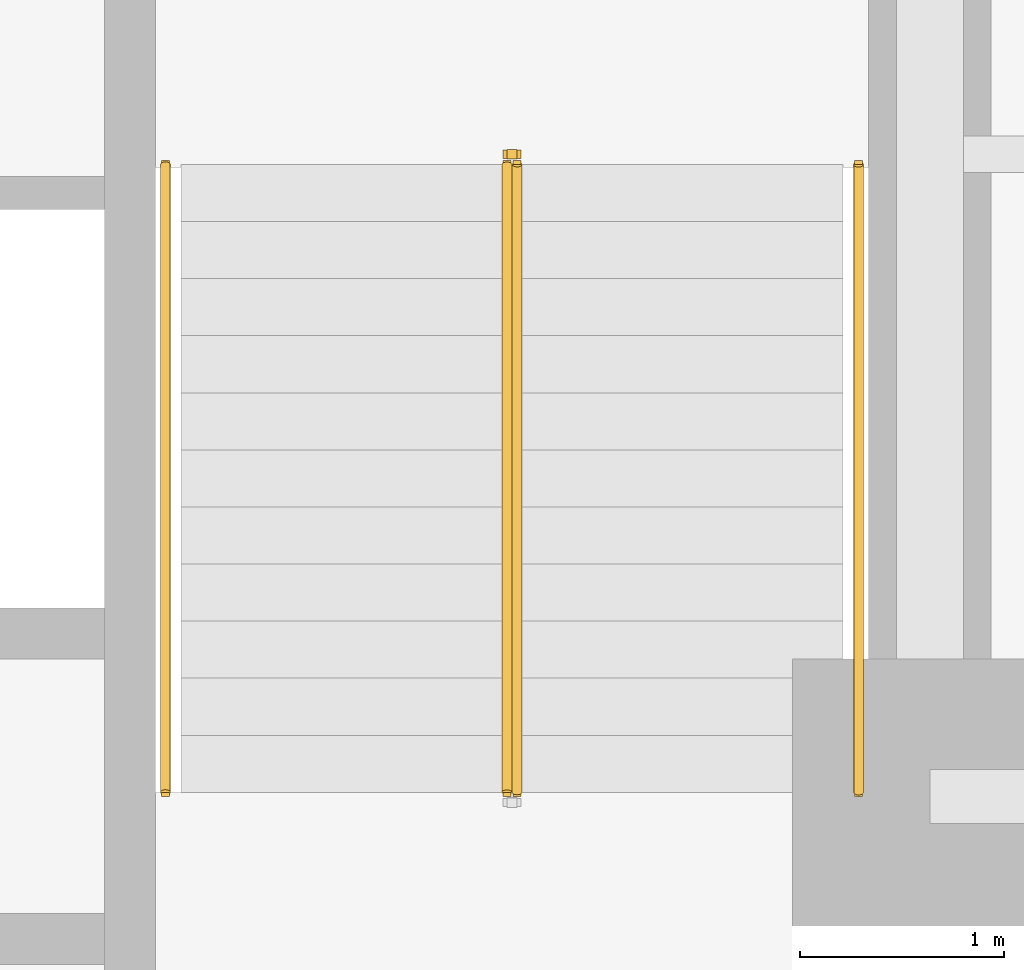
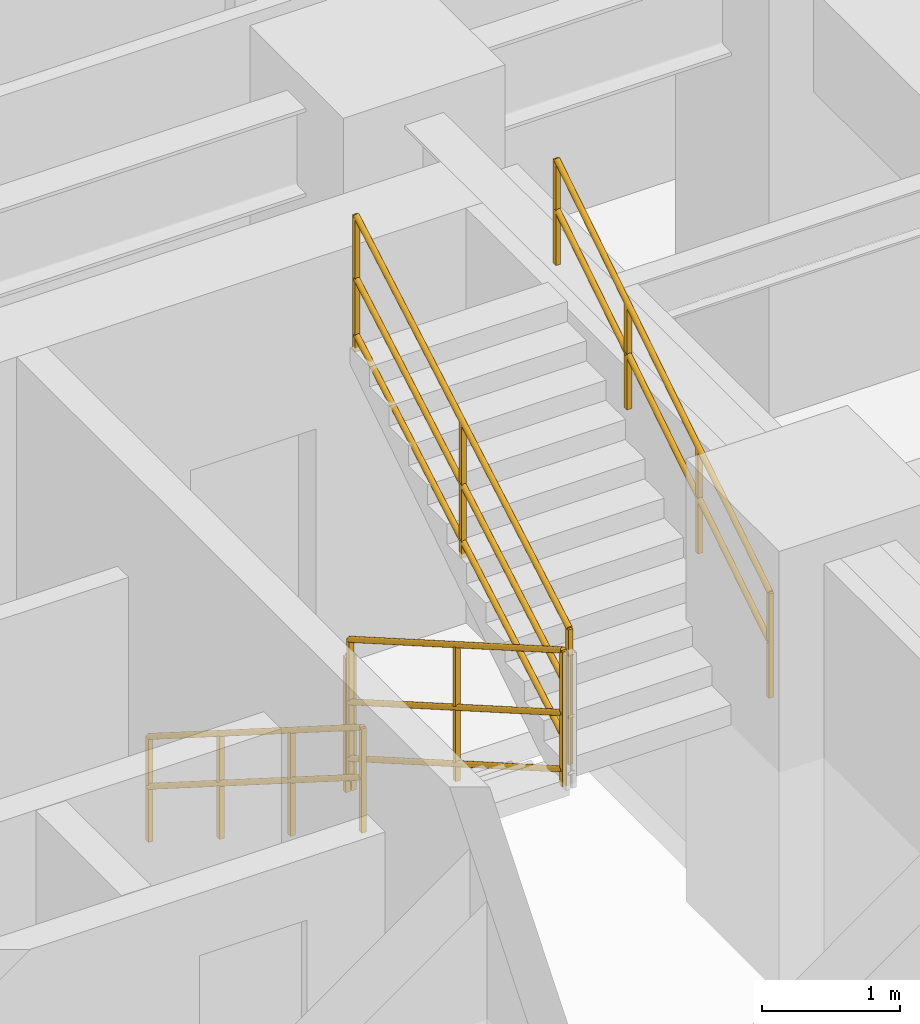
# One storey, part 8 of 9: 5 railings.
"""IFC4 building model written with IfcOpenShell, lengths in metres."""

from ifc_helpers import new_model, entity, si_unit, converted_unit, direction, frame, origin_with_axes, origin_2d_with_axis, place, context, subcontext, project, spatial, rectangle, circle, extrude, material, type_object, element, save


model = new_model("IFC4")

# Units and contexts
model_context = context("Model", 3, precision=1e-05, world=origin_with_axes(), true_north=direction((0.0, 1.0)))
body_context = subcontext(model_context, "Body", "Model", "MODEL_VIEW")
ifc_project = project(units=[si_unit("LENGTHUNIT", "METRE"), si_unit("AREAUNIT", "SQUARE_METRE"), si_unit("VOLUMEUNIT", "CUBIC_METRE"), converted_unit("PLANEANGLEUNIT", "DEGREE", entity("IfcPlaneAngleMeasure", 0.017453292519943295), si_unit("PLANEANGLEUNIT", "RADIAN"), dimensions=[0, 0, 0, 0, 0, 0, 0]), si_unit("MASSUNIT", "GRAM", prefix="KILO"), si_unit("THERMODYNAMICTEMPERATUREUNIT", "KELVIN")], contexts=[model_context])

# Site, building, storey
site_placement = place(None, origin_with_axes())
site = spatial("IfcSite", under=ifc_project, at=site_placement, CompositionType="ELEMENT")
building_placement = place(site_placement, origin_with_axes())
building = spatial("IfcBuilding", under=site, at=building_placement, Name="Varnlund Millrace Tower", CompositionType="ELEMENT")
storey_placement = place(building_placement, frame((0.0, 0.0, 60.0), z_axis=(0.0, 0.0, 1.0), x_axis=(1.0, 0.0, 0.0)))
storey = spatial("IfcBuildingStorey", under=building, at=storey_placement, Name="L14", CompositionType="ELEMENT", Elevation=60.0)

# Railings
ifc_material_1 = material(Name="Painted steel stair well balustrade guard", Category="steel")
railing_type_1 = type_object("IfcRailingType", Name="Type-StairGuard-1150", PredefinedType="GUARDRAIL", material=ifc_material_1)
railing_1_placement = place(storey_placement, frame((0.0, 0.0, -60.0), z_axis=(0.0, 0.0, 1.0), x_axis=(1.0, 0.0, 0.0)))
element("IfcRailing", 1, at=railing_1_placement, inside=storey, type_object=railing_type_1, Name="Type-StairGuard-1150", PredefinedType="GUARDRAIL", context=body_context, shape_type="SweptSolid", body=[
    extrude(circle(Radius=0.024, at=origin_2d_with_axis()), frame((45.975, 21.1, 61.327273), z_axis=(0.0, -0.866696, 0.498836), x_axis=(1.0, 0.0, 0.0)), (0.0, 0.0, 1.0), 3.553725),
    extrude(circle(Radius=0.024, at=origin_2d_with_axis()), frame((45.975, 21.1, 60.277273), z_axis=(0.0, -0.866696, 0.498836), x_axis=(1.0, 0.0, 0.0)), (0.0, 0.0, 1.0), 3.553725),
    extrude(circle(Radius=0.024, at=origin_2d_with_axis()), frame((45.975, 21.1, 60.775273), z_axis=(0.0, -0.866696, 0.498836), x_axis=(1.0, 0.0, 0.0)), (0.0, 0.0, 1.0), 3.553725),
    extrude(rectangle(XDim=0.04, YDim=0.04, at=origin_2d_with_axis()), frame((45.975, 21.1, 60.137273), z_axis=(0.0, 0.0, 1.0), x_axis=(1.0, 0.0, 0.0)), (0.0, 0.0, 1.0), 1.19),
    extrude(rectangle(XDim=0.04, YDim=0.04, at=origin_2d_with_axis()), frame((45.975, 19.56, 61.023637), z_axis=(0.0, 0.0, 1.0), x_axis=(1.0, 0.0, 0.0)), (0.0, 0.0, 1.0), 1.19),
    extrude(rectangle(XDim=0.04, YDim=0.04, at=origin_2d_with_axis()), frame((45.975, 18.02, 61.91), z_axis=(0.0, 0.0, 1.0), x_axis=(1.0, 0.0, 0.0)), (0.0, 0.0, 1.0), 1.19),
])
railing_2_placement = place(storey_placement, frame((0.0, 0.0, -60.0), z_axis=(0.0, 0.0, 1.0), x_axis=(1.0, 0.0, 0.0)))
element("IfcRailing", 2, at=railing_2_placement, inside=storey, type_object=railing_type_1, Name="Type-StairGuard-1150", PredefinedType="GUARDRAIL", context=body_context, shape_type="SweptSolid", body=[
    extrude(circle(Radius=0.024, at=origin_2d_with_axis()), frame((46.025, 18.02, 63.277273), z_axis=(0.0, 0.866696, 0.498836), x_axis=(-1.0, 0.0, 0.0)), (0.0, 0.0, 1.0), 3.553725),
    extrude(circle(Radius=0.024, at=origin_2d_with_axis()), frame((46.025, 18.02, 62.227273), z_axis=(0.0, 0.866696, 0.498836), x_axis=(-1.0, 0.0, 0.0)), (0.0, 0.0, 1.0), 3.553725),
    extrude(circle(Radius=0.024, at=origin_2d_with_axis()), frame((46.025, 18.02, 62.725273), z_axis=(0.0, 0.866696, 0.498836), x_axis=(-1.0, 0.0, 0.0)), (0.0, 0.0, 1.0), 3.553725),
    extrude(rectangle(XDim=0.04, YDim=0.04, at=origin_2d_with_axis()), frame((46.025, 18.02, 62.087273), z_axis=(0.0, 0.0, 1.0), x_axis=(1.0, 0.0, 0.0)), (0.0, 0.0, 1.0), 1.19),
    extrude(rectangle(XDim=0.04, YDim=0.04, at=origin_2d_with_axis()), frame((46.025, 19.56, 62.973637), z_axis=(0.0, 0.0, 1.0), x_axis=(1.0, 0.0, 0.0)), (0.0, 0.0, 1.0), 1.19),
    extrude(rectangle(XDim=0.04, YDim=0.04, at=origin_2d_with_axis()), frame((46.025, 21.1, 63.86), z_axis=(0.0, 0.0, 1.0), x_axis=(1.0, 0.0, 0.0)), (0.0, 0.0, 1.0), 1.19),
])
railing_3_placement = place(storey_placement, frame((0.0, 0.0, -60.0), z_axis=(0.0, 0.0, 1.0), x_axis=(1.0, 0.0, 0.0)))
element("IfcRailing", 3, at=railing_3_placement, inside=storey, type_object=railing_type_1, Name="Type-StairGuard-1150", PredefinedType="GUARDRAIL", context=body_context, shape_type="SweptSolid", body=[
    extrude(circle(Radius=0.024, at=origin_2d_with_axis()), frame((46.025, 21.15, 61.15), z_axis=(-1.0, 0.0, 0.0), x_axis=(0.0, -1.0, 0.0)), (0.0, 0.0, 1.0), 0.05),
    extrude(circle(Radius=0.024, at=origin_2d_with_axis()), frame((46.025, 21.15, 60.1), z_axis=(-1.0, 0.0, 0.0), x_axis=(0.0, -1.0, 0.0)), (0.0, 0.0, 1.0), 0.05),
    extrude(circle(Radius=0.024, at=origin_2d_with_axis()), frame((46.025, 21.15, 60.598), z_axis=(-1.0, 0.0, 0.0), x_axis=(0.0, -1.0, 0.0)), (0.0, 0.0, 1.0), 0.05),
    extrude(rectangle(XDim=0.04, YDim=0.04, at=origin_2d_with_axis()), frame((46.025, 21.15, 59.96), z_axis=(0.0, 0.0, 1.0), x_axis=(1.0, 0.0, 0.0)), (0.0, 0.0, 1.0), 1.19),
    extrude(rectangle(XDim=0.04, YDim=0.04, at=origin_2d_with_axis()), frame((45.975, 21.15, 59.96), z_axis=(0.0, 0.0, 1.0), x_axis=(1.0, 0.0, 0.0)), (0.0, 0.0, 1.0), 1.19),
])
ifc_material_2 = material(Name="Brushed architectural bronze stair handrail", Category="aluminium")
railing_type_2 = type_object("IfcRailingType", Name="Type-StairHandrail-900", PredefinedType="HANDRAIL", material=ifc_material_2)
railing_4_placement = place(storey_placement, frame((0.0, 0.0, -60.0), z_axis=(0.0, 0.0, 1.0), x_axis=(1.0, 0.0, 0.0)))
element("IfcRailing", 4, at=railing_4_placement, inside=storey, type_object=railing_type_2, Name="Type-StairHandrail-900", PredefinedType="HANDRAIL", context=body_context, shape_type="SweptSolid", body=[
    extrude(circle(Radius=0.024, at=origin_2d_with_axis()), frame((44.3, 21.1, 61.056995), z_axis=(0.0, -0.844902, 0.534922), x_axis=(1.0, 0.0, 0.0)), (0.0, 0.0, 1.0), 3.645394),
    extrude(circle(Radius=0.024, at=origin_2d_with_axis()), frame((44.3, 21.1, 60.617134), z_axis=(0.0, -0.844902, 0.534922), x_axis=(1.0, 0.0, 0.0)), (0.0, 0.0, 1.0), 3.645394),
    extrude(rectangle(XDim=0.04, YDim=0.04, at=origin_2d_with_axis()), frame((44.3, 21.1, 60.137273), z_axis=(0.0, 0.0, 1.0), x_axis=(1.0, 0.0, 0.0)), (0.0, 0.0, 1.0), 0.919722),
    extrude(rectangle(XDim=0.04, YDim=0.04, at=origin_2d_with_axis()), frame((44.3, 20.073333, 60.787273), z_axis=(0.0, 0.0, 1.0), x_axis=(1.0, 0.0, 0.0)), (0.0, 0.0, 1.0), 0.919722),
    extrude(rectangle(XDim=0.04, YDim=0.04, at=origin_2d_with_axis()), frame((44.3, 19.046667, 61.437273), z_axis=(0.0, 0.0, 1.0), x_axis=(1.0, 0.0, 0.0)), (0.0, 0.0, 1.0), 0.919722),
    extrude(rectangle(XDim=0.04, YDim=0.04, at=origin_2d_with_axis()), frame((44.3, 18.02, 62.087273), z_axis=(0.0, 0.0, 1.0), x_axis=(1.0, 0.0, 0.0)), (0.0, 0.0, 1.0), 0.919722),
])
railing_5_placement = place(storey_placement, frame((0.0, 0.0, -60.0), z_axis=(0.0, 0.0, 1.0), x_axis=(1.0, 0.0, 0.0)))
element("IfcRailing", 5, at=railing_5_placement, inside=storey, type_object=railing_type_2, Name="Type-StairHandrail-900", PredefinedType="HANDRAIL", context=body_context, shape_type="SweptSolid", body=[
    extrude(circle(Radius=0.024, at=origin_2d_with_axis()), frame((47.7, 18.02, 63.006995), z_axis=(0.0, 0.844902, 0.534922), x_axis=(-1.0, 0.0, 0.0)), (0.0, 0.0, 1.0), 3.645394),
    extrude(circle(Radius=0.024, at=origin_2d_with_axis()), frame((47.7, 18.02, 62.567134), z_axis=(0.0, 0.844902, 0.534922), x_axis=(-1.0, 0.0, 0.0)), (0.0, 0.0, 1.0), 3.645394),
    extrude(rectangle(XDim=0.04, YDim=0.04, at=origin_2d_with_axis()), frame((47.7, 18.02, 62.087273), z_axis=(0.0, 0.0, 1.0), x_axis=(1.0, 0.0, 0.0)), (0.0, 0.0, 1.0), 0.919722),
    extrude(rectangle(XDim=0.04, YDim=0.04, at=origin_2d_with_axis()), frame((47.7, 19.046667, 62.737273), z_axis=(0.0, 0.0, 1.0), x_axis=(1.0, 0.0, 0.0)), (0.0, 0.0, 1.0), 0.919722),
    extrude(rectangle(XDim=0.04, YDim=0.04, at=origin_2d_with_axis()), frame((47.7, 20.073333, 63.387273), z_axis=(0.0, 0.0, 1.0), x_axis=(1.0, 0.0, 0.0)), (0.0, 0.0, 1.0), 0.919722),
    extrude(rectangle(XDim=0.04, YDim=0.04, at=origin_2d_with_axis()), frame((47.7, 21.1, 64.037273), z_axis=(0.0, 0.0, 1.0), x_axis=(1.0, 0.0, 0.0)), (0.0, 0.0, 1.0), 0.919722),
])

save(model, "model.ifc")
